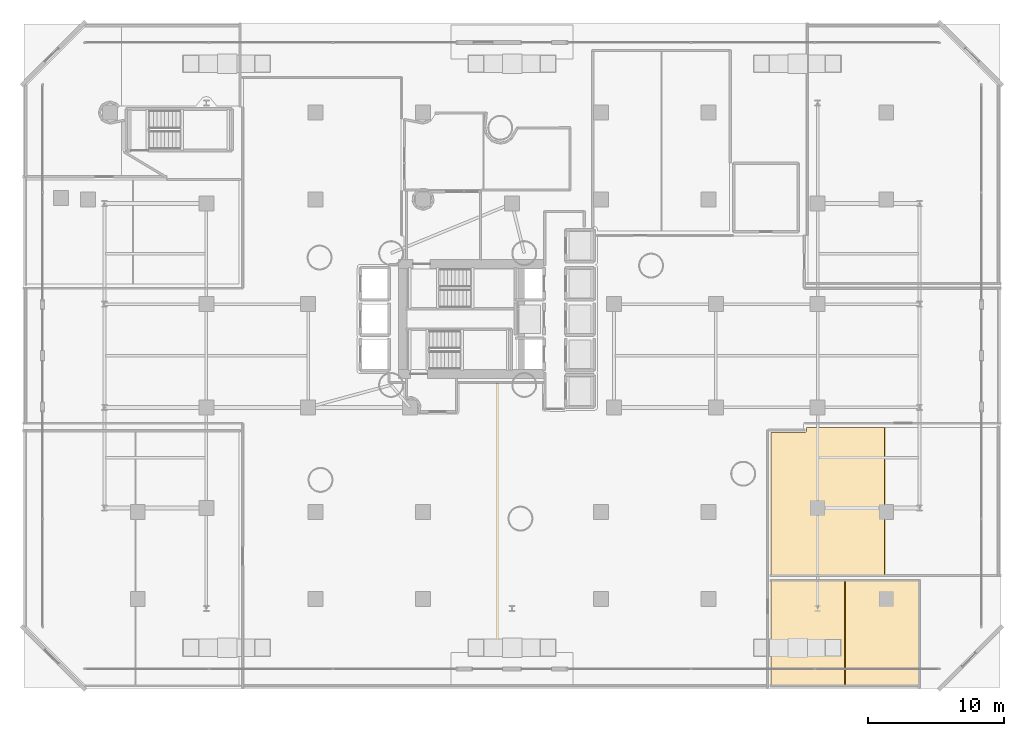
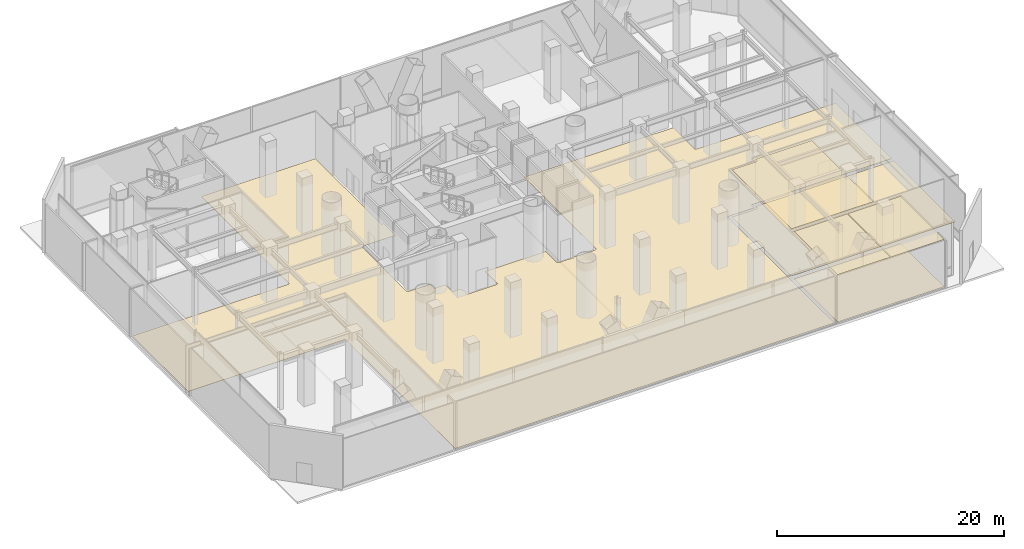
# One storey, part 35 of 40: 6 coverings.
"""IFC4 building model written with IfcOpenShell, lengths in metres."""

from ifc_helpers import new_model, si_unit, direction, frame, origin, place, context, subcontext, project, spatial, polyline, outline, extrude, material, layer, layer_set, type_object, element, save


model = new_model("IFC4")

# Units and contexts
model_context = context("Model", 3, precision=1e-05, world=origin(), true_north=direction((0.0, 1.0)))
body_context = subcontext(model_context, "Body", "Model", "MODEL_VIEW")
ifc_project = project(units=[si_unit("LENGTHUNIT", "METRE"), si_unit("AREAUNIT", "SQUARE_METRE"), si_unit("VOLUMEUNIT", "CUBIC_METRE"), si_unit("PLANEANGLEUNIT", "RADIAN"), si_unit("MASSUNIT", "GRAM", prefix="KILO")], contexts=[model_context])

# Site, building, storey
site_placement = place(None, origin())
site = spatial("IfcSite", under=ifc_project, at=site_placement, CompositionType="ELEMENT")
building_placement = place(site_placement, origin())
building = spatial("IfcBuilding", under=site, at=building_placement, Name="Qianvela Tower", CompositionType="ELEMENT")
storey_placement = place(building_placement, origin())
storey = spatial("IfcBuildingStorey", under=building, at=storey_placement, Name="L00", CompositionType="ELEMENT", Elevation=0.0)

# Coverings
ifc_material_1 = material(Name="Perforated Mineral Acoustic Ceiling Tile")
ifc_layer_1 = layer(ifc_material_1, 0.02490234375)
ifc_layer_set_1 = layer_set([ifc_layer_1], Name="Perforated Mineral Acoustic Ceiling Tile")
covering_type_1 = type_object("IfcCoveringType", Name="COV-CEIL-ACOUSTIC-25", PredefinedType="CEILING", material=ifc_layer_set_1)
covering_1_placement = place(storey_placement, frame((0.0, 0.0, 5.074951171875)))
element("IfcCovering", 1, at=covering_1_placement, inside=storey, type_object=covering_type_1, Name="L00 Acoustic Ceiling Bay 1 Fire Command Room", PredefinedType="CEILING", context=body_context, shape_type="SweptSolid", body=[
    extrude(outline(polyline([(56.580078125, 1.760009765625), (56.580078125, 9.419921875), (61.9599609375, 9.419921875), (61.9599609375, 1.760009765625), (56.580078125, 1.760009765625)])), origin(), (0.0, 0.0, 1.0), 0.025146484375),
])
covering_2_placement = place(storey_placement, frame((0.0, 0.0, 5.074951171875)))
element("IfcCovering", 2, at=covering_2_placement, inside=storey, type_object=covering_type_1, Name="L00 Acoustic Ceiling Bay 2 Fire Command Room", PredefinedType="CEILING", context=body_context, shape_type="SweptSolid", body=[
    extrude(outline(polyline([(62.0400390625, 1.760009765625), (62.0400390625, 9.419921875), (67.419921875, 9.419921875), (67.419921875, 1.760009765625), (62.0400390625, 1.760009765625)])), origin(), (0.0, 0.0, 1.0), 0.025146484375),
])
covering_3_placement = place(storey_placement, frame((0.0, 0.0, 5.074951171875)))
element("IfcCovering", 3, at=covering_3_placement, inside=storey, type_object=covering_type_1, Name="L00 Acoustic Ceiling Bay 1 Campus Bookshop and Convenience Retail", PredefinedType="CEILING", context=body_context, shape_type="SweptSolid", body=[
    extrude(outline(polyline([(56.580078125, 9.8798828125), (56.580078125, 20.35791015625), (59.05615234375, 20.3583984375), (59.064453125, 20.358642578125), (59.07275390625, 20.360107421875), (59.080810546875, 20.3623046875), (59.0888671875, 20.365234375), (59.09619140625, 20.369140625), (59.103271484375, 20.373779296875), (59.10986328125, 20.37890625), (59.16455078125, 20.4287109375), (59.17041015625, 20.4345703125), (59.175537109375, 20.44091796875), (59.18017578125, 20.447998046875), (59.183837890625, 20.455322265625), (59.18701171875, 20.463134765625), (59.18896484375, 20.47119140625), (59.190185546875, 20.479248046875), (59.19091796875, 20.487548828125), (59.191650390625, 20.719970703125), (64.90673828125, 20.719970703125), (64.90673828125, 9.8798828125), (56.580078125, 9.8798828125)])), origin(), (0.0, 0.0, 1.0), 0.025146484375),
])
ifc_material_2 = material(Name="Engineered Acoustic Oak Timber Flooring", Category="wood")
ifc_layer_2 = layer(ifc_material_2, 0.02001953125)
ifc_layer_set_2 = layer_set([ifc_layer_2], Name="Engineered Acoustic Oak Timber Flooring")
covering_type_2 = type_object("IfcCoveringType", Name="COV-FLOOR-OAK-20", PredefinedType="FLOORING", material=ifc_layer_set_2)
covering_4_placement = place(storey_placement, origin())
element("IfcCovering", 4, at=covering_4_placement, inside=storey, type_object=covering_type_2, Name="L00 Finish Flooring Fire Command Room", PredefinedType="FLOORING", context=body_context, shape_type="SweptSolid", body=[
    extrude(outline(polyline([(67.419921875, 1.760009765625), (56.580078125, 1.760009765625), (56.580078125, 9.419921875), (67.419921875, 9.419921875), (67.419921875, 1.760009765625)])), origin(), (0.0, 0.0, 1.0), 0.02001953125),
])
covering_5_placement = place(storey_placement, origin())
element("IfcCovering", 5, at=covering_5_placement, inside=storey, type_object=covering_type_2, Name="L00 Finish Flooring Campus Bookshop and Convenience Retail", PredefinedType="FLOORING", context=body_context, shape_type="SweptSolid", body=[
    extrude(outline(polyline([(73.239990234375, 20.719970703125), (73.239990234375, 9.8798828125), (56.580078125, 9.8798828125), (56.580078125, 20.35791015625), (59.05615234375, 20.3583984375), (59.064453125, 20.358642578125), (59.07275390625, 20.360107421875), (59.080810546875, 20.3623046875), (59.0888671875, 20.365234375), (59.09619140625, 20.369140625), (59.103271484375, 20.373779296875), (59.10986328125, 20.37890625), (59.16455078125, 20.4287109375), (59.17041015625, 20.4345703125), (59.175537109375, 20.44091796875), (59.18017578125, 20.447998046875), (59.183837890625, 20.455322265625), (59.18701171875, 20.463134765625), (59.18896484375, 20.47119140625), (59.190185546875, 20.479248046875), (59.19091796875, 20.487548828125), (59.191650390625, 20.719970703125), (73.239990234375, 20.719970703125)])), origin(), (0.0, 0.0, 1.0), 0.02001953125),
])
ifc_material_3 = material(Name="Honed Stone Terrazzo Flooring", Category="masonry")
ifc_layer_3 = layer(ifc_material_3, 0.030029296875)
ifc_layer_set_3 = layer_set([ifc_layer_3], Name="Honed Stone Terrazzo Flooring")
covering_type_3 = type_object("IfcCoveringType", Name="COV-FLOOR-TERRAZZO-30", PredefinedType="FLOORING", material=ifc_layer_set_3)
covering_6_placement = place(storey_placement, origin())
element("IfcCovering", 6, at=covering_6_placement, inside=storey, type_object=covering_type_3, Name="L00 Finish Flooring Street Concourse", PredefinedType="FLOORING", context=body_context, shape_type="SweptSolid", body=[
    extrude(outline(polyline([(1.760009765625, 21.080078125), (1.760009765625, 30.919921875), (17.64990234375, 30.919921875), (17.65771484375, 30.92041015625), (17.66552734375, 30.92138671875), (17.673095703125, 30.92333984375), (17.6806640625, 30.926025390625), (17.687744140625, 30.929443359375), (17.6943359375, 30.93359375), (17.70068359375, 30.938232421875), (17.70654296875, 30.943359375), (17.7119140625, 30.94921875), (17.716552734375, 30.95556640625), (17.720703125, 30.96240234375), (17.723876953125, 30.969482421875), (17.7265625, 30.976806640625), (17.728515625, 30.984375), (17.7294921875, 30.9921875), (17.72998046875, 31.0), (17.72998046875, 46.419921875), (29.320068359375, 46.419921875), (29.320068359375, 34.8798828125), (29.3203125, 34.872314453125), (29.321533203125, 34.864501953125), (29.323486328125, 34.856689453125), (29.326171875, 34.849365234375), (29.329345703125, 34.84228515625), (29.33349609375, 34.835693359375), (29.338134765625, 34.8291015625), (29.343505859375, 34.823486328125), (29.34912109375, 34.818115234375), (29.355712890625, 34.8134765625), (29.3623046875, 34.809326171875), (29.369384765625, 34.80615234375), (29.376708984375, 34.803466796875), (29.384521484375, 34.801513671875), (29.39208984375, 34.80029296875), (29.39990234375, 34.800048828125), (29.55810546875, 34.800048828125), (29.55810546875, 32.7099609375), (29.547607421875, 32.7001953125), (26.320556640625, 32.719970703125), (26.3125, 32.719482421875), (26.3046875, 32.718505859375), (26.296875, 32.716552734375), (26.218994140625, 32.693115234375), (26.211669921875, 32.690185546875), (26.20458984375, 32.68701171875), (26.19775390625, 32.682861328125), (26.19140625, 32.67822265625), (26.185791015625, 32.673095703125), (26.180419921875, 32.667236328125), (26.12890625, 32.604248046875), (26.124267578125, 32.59814453125), (26.1201171875, 32.59130859375), (26.11669921875, 32.584228515625), (26.1142578125, 32.576904296875), (26.1123046875, 32.5693359375), (26.111083984375, 32.561767578125), (26.110595703125, 32.553955078125), (26.10009765625, 30.100341796875), (26.100341796875, 30.09228515625), (26.1015625, 30.084228515625), (26.103515625, 30.076416015625), (26.106201171875, 30.06884765625), (26.13525390625, 30.0), (26.106201171875, 29.93115234375), (26.103515625, 29.923583984375), (26.1015625, 29.915771484375), (26.100341796875, 29.907958984375), (26.10009765625, 29.89990234375), (26.10009765625, 27.5), (26.100341796875, 27.491943359375), (26.1015625, 27.484130859375), (26.103515625, 27.476318359375), (26.106201171875, 27.468994140625), (26.13525390625, 27.39990234375), (26.106201171875, 27.3310546875), (26.103515625, 27.323486328125), (26.1015625, 27.31591796875), (26.100341796875, 27.30810546875), (26.10009765625, 27.300048828125), (26.10009765625, 24.89990234375), (26.100341796875, 24.89306640625), (26.101318359375, 24.88623046875), (26.1025390625, 24.879638671875), (26.104736328125, 24.873046875), (26.136474609375, 24.7841796875), (26.1396484375, 24.776611328125), (26.143798828125, 24.76904296875), (26.1484375, 24.76220703125), (26.154052734375, 24.755859375), (26.16015625, 24.75), (26.1669921875, 24.7451171875), (26.174072265625, 24.740478515625), (26.2685546875, 24.690185546875), (26.275634765625, 24.686767578125), (26.282958984375, 24.68408203125), (26.290771484375, 24.68212890625), (26.29833984375, 24.68115234375), (26.306396484375, 24.6806640625), (28.39990234375, 24.679931640625), (28.39990234375, 24.050048828125), (28.400390625, 24.042236328125), (28.401611328125, 24.034423828125), (28.4033203125, 24.02685546875), (28.406005859375, 24.019287109375), (28.409423828125, 24.01220703125), (28.41357421875, 24.005615234375), (28.418212890625, 23.999267578125), (28.42333984375, 23.993408203125), (28.42919921875, 23.98828125), (28.435546875, 23.9833984375), (28.4423828125, 23.9794921875), (28.449462890625, 23.97607421875), (28.456787109375, 23.973388671875), (28.46435546875, 23.971435546875), (28.47216796875, 23.970458984375), (28.47998046875, 23.969970703125), (29.558349609375, 23.969970703125), (29.56298828125, 22.81640625), (29.563232421875, 22.808349609375), (29.564697265625, 22.800537109375), (29.566650390625, 22.792724609375), (29.5693359375, 22.785400390625), (29.57275390625, 22.778076171875), (29.576904296875, 22.771240234375), (29.581787109375, 22.764892578125), (29.58740234375, 22.75927734375), (29.59326171875, 22.75390625), (29.599853515625, 22.749267578125), (29.65869140625, 22.71142578125), (29.66552734375, 22.70751953125), (29.6728515625, 22.704345703125), (29.68017578125, 22.701904296875), (29.68798828125, 22.7001953125), (29.69580078125, 22.69921875), (29.70361328125, 22.698974609375), (29.71142578125, 22.699462890625), (29.71923828125, 22.70068359375), (29.726806640625, 22.702880859375), (29.884521484375, 22.75439453125), (30.1103515625, 22.75439453125), (30.32080078125, 22.667236328125), (30.401123046875, 22.601318359375), (30.46728515625, 22.520751953125), (30.554443359375, 22.310302734375), (30.554443359375, 22.087646484375), (30.477294921875, 21.883056640625), (30.47509765625, 21.875732421875), (30.473388671875, 21.868408203125), (30.472412109375, 21.860595703125), (30.472412109375, 21.85302734375), (30.472900390625, 21.84521484375), (30.47412109375, 21.837890625), (30.476318359375, 21.830322265625), (30.47900390625, 21.8232421875), (30.482177734375, 21.81640625), (30.486328125, 21.809814453125), (30.5302734375, 21.745361328125), (30.534912109375, 21.7392578125), (30.540283203125, 21.7333984375), (30.546142578125, 21.728271484375), (30.552490234375, 21.7236328125), (30.55908203125, 21.7197265625), (30.566162109375, 21.716552734375), (30.573486328125, 21.7138671875), (30.5810546875, 21.712158203125), (30.5888671875, 21.7109375), (30.5966796875, 21.710693359375), (33.489501953125, 21.72216796875), (33.497802734375, 21.722412109375), (33.505859375, 21.723876953125), (33.513916015625, 21.725830078125), (33.521484375, 21.728759765625), (33.52880859375, 21.732421875), (33.53564453125, 21.73681640625), (33.5419921875, 21.741943359375), (33.5478515625, 21.74755859375), (33.55322265625, 21.75390625), (33.557861328125, 21.7607421875), (33.561767578125, 21.767822265625), (33.584228515625, 21.81591796875), (33.587646484375, 21.823974609375), (33.590087890625, 21.83251953125), (33.591552734375, 21.84130859375), (33.592041015625, 21.85009765625), (33.592041015625, 23.969970703125), (39.747802734375, 23.969970703125), (39.738037109375, 22.05078125), (39.73828125, 22.04296875), (39.739501953125, 22.03515625), (39.741455078125, 22.02734375), (39.743896484375, 22.02001953125), (39.747314453125, 22.0126953125), (39.77490234375, 21.9609375), (39.77880859375, 21.954345703125), (39.783447265625, 21.947998046875), (39.78857421875, 21.942138671875), (39.79443359375, 21.93701171875), (39.80078125, 21.93212890625), (39.807373046875, 21.92822265625), (39.814453125, 21.9248046875), (39.82177734375, 21.922119140625), (39.829345703125, 21.920166015625), (39.837158203125, 21.9189453125), (39.844970703125, 21.91845703125), (41.359375, 21.907958984375), (41.36669921875, 21.908203125), (41.373779296875, 21.9091796875), (41.380615234375, 21.91064453125), (41.3876953125, 21.912841796875), (41.394287109375, 21.915771484375), (41.442138671875, 21.938232421875), (41.448974609375, 21.94189453125), (41.455322265625, 21.9462890625), (41.461181640625, 21.951171875), (41.466796875, 21.95654296875), (41.4716796875, 21.96240234375), (41.47607421875, 21.96875), (41.479736328125, 21.9755859375), (41.481689453125, 21.97998046875), (43.580078125, 21.97998046875), (43.587890625, 21.98046875), (43.595703125, 21.9814453125), (43.603271484375, 21.9833984375), (43.610595703125, 21.986083984375), (43.709716796875, 22.027099609375), (43.716796875, 22.030517578125), (43.723388671875, 22.034423828125), (43.729736328125, 22.039306640625), (43.735595703125, 22.04443359375), (43.74072265625, 22.05029296875), (43.74560546875, 22.056640625), (43.74951171875, 22.063232421875), (43.7529296875, 22.0703125), (43.7939453125, 22.16943359375), (43.796630859375, 22.1767578125), (43.798583984375, 22.184326171875), (43.799560546875, 22.192138671875), (43.800048828125, 22.199951171875), (43.800048828125, 24.60009765625), (43.7998046875, 24.60693359375), (43.798828125, 24.61376953125), (43.79736328125, 24.620361328125), (43.79541015625, 24.626953125), (43.763427734375, 24.7158203125), (43.760498046875, 24.722900390625), (43.7568359375, 24.72998046875), (43.75244140625, 24.736572265625), (43.74755859375, 24.742431640625), (43.741943359375, 24.748046875), (43.73583984375, 24.753173828125), (43.735107421875, 24.753662109375), (43.7783203125, 24.811767578125), (43.782958984375, 24.81884765625), (43.786865234375, 24.826416015625), (43.789794921875, 24.834228515625), (43.7919921875, 24.84228515625), (43.79345703125, 24.8505859375), (43.7939453125, 24.859130859375), (43.800048828125, 27.2998046875), (43.799560546875, 27.307861328125), (43.79833984375, 27.315673828125), (43.79638671875, 27.323486328125), (43.793701171875, 27.3310546875), (43.7646484375, 27.39990234375), (43.793701171875, 27.468994140625), (43.79638671875, 27.476318359375), (43.79833984375, 27.484130859375), (43.799560546875, 27.491943359375), (43.800048828125, 27.5), (43.800048828125, 29.89990234375), (43.799560546875, 29.907958984375), (43.79833984375, 29.915771484375), (43.79638671875, 29.923583984375), (43.793701171875, 29.93115234375), (43.7646484375, 30.0), (43.793701171875, 30.06884765625), (43.79638671875, 30.076416015625), (43.79833984375, 30.084228515625), (43.799560546875, 30.092041015625), (43.800048828125, 30.10009765625), (43.79736328125, 32.52734375), (43.796875, 32.535888671875), (43.79541015625, 32.54443359375), (43.793212890625, 32.552734375), (43.7900390625, 32.560791015625), (43.785888671875, 32.568359375), (43.7373046875, 32.6494140625), (43.733154296875, 32.656005859375), (43.72802734375, 32.661865234375), (43.722412109375, 32.66748046875), (43.716552734375, 32.672607421875), (43.7099609375, 32.6767578125), (43.702880859375, 32.680419921875), (43.69580078125, 32.68359375), (43.646728515625, 32.701171875), (43.709716796875, 32.72705078125), (43.716796875, 32.73046875), (43.723388671875, 32.734619140625), (43.729736328125, 32.7392578125), (43.735595703125, 32.744384765625), (43.74072265625, 32.750244140625), (43.74560546875, 32.756591796875), (43.74951171875, 32.76318359375), (43.7529296875, 32.7705078125), (43.7939453125, 32.869384765625), (43.796630859375, 32.876708984375), (43.798583984375, 32.884521484375), (43.799560546875, 32.89208984375), (43.800048828125, 32.89990234375), (43.800048828125, 34.800048828125), (58.969970703125, 34.800048828125), (58.969970703125, 31.0), (58.970458984375, 30.9921875), (58.971435546875, 30.984375), (58.973388671875, 30.976806640625), (58.97607421875, 30.969482421875), (58.9794921875, 30.96240234375), (58.9833984375, 30.95556640625), (58.98828125, 30.94921875), (58.993408203125, 30.943359375), (58.999267578125, 30.938232421875), (59.005615234375, 30.93359375), (59.01220703125, 30.929443359375), (59.019287109375, 30.926025390625), (59.02685546875, 30.92333984375), (59.034423828125, 30.92138671875), (59.042236328125, 30.92041015625), (59.050048828125, 30.919921875), (73.239990234375, 30.919921875), (73.239990234375, 21.080078125), (59.050048828125, 21.080078125), (59.042236328125, 21.07958984375), (59.034423828125, 21.07861328125), (59.02685546875, 21.07666015625), (59.019287109375, 21.073974609375), (59.01220703125, 21.070556640625), (59.005615234375, 21.06640625), (58.999267578125, 21.061767578125), (58.993408203125, 21.056640625), (58.98828125, 21.05078125), (58.9833984375, 21.04443359375), (58.9794921875, 21.03759765625), (58.97607421875, 21.030517578125), (58.973388671875, 21.023193359375), (58.971435546875, 21.015625), (58.970458984375, 21.0078125), (58.969970703125, 21.0), (58.969970703125, 20.580078125), (56.35009765625, 20.580078125), (56.34228515625, 20.57958984375), (56.33447265625, 20.57861328125), (56.326904296875, 20.57666015625), (56.3193359375, 20.573974609375), (56.312255859375, 20.570556640625), (56.3056640625, 20.56640625), (56.29931640625, 20.561767578125), (56.29345703125, 20.556640625), (56.2880859375, 20.55078125), (56.283447265625, 20.54443359375), (56.279296875, 20.53759765625), (56.276123046875, 20.530517578125), (56.2734375, 20.523193359375), (56.271484375, 20.515625), (56.2705078125, 20.5078125), (56.27001953125, 20.5), (56.27001953125, 1.760009765625), (17.72998046875, 1.760009765625), (17.72998046875, 21.0), (17.7294921875, 21.0078125), (17.728515625, 21.015625), (17.7265625, 21.023193359375), (17.723876953125, 21.030517578125), (17.720703125, 21.03759765625), (17.716552734375, 21.04443359375), (17.7119140625, 21.05078125), (17.70654296875, 21.056640625), (17.70068359375, 21.061767578125), (17.6943359375, 21.06640625), (17.687744140625, 21.070556640625), (17.6806640625, 21.073974609375), (17.673095703125, 21.07666015625), (17.66552734375, 21.07861328125), (17.65771484375, 21.07958984375), (17.64990234375, 21.080078125), (1.760009765625, 21.080078125)])), origin(), (0.0, 0.0, 1.0), 0.030029296875),
])

save(model, "model.ifc")
